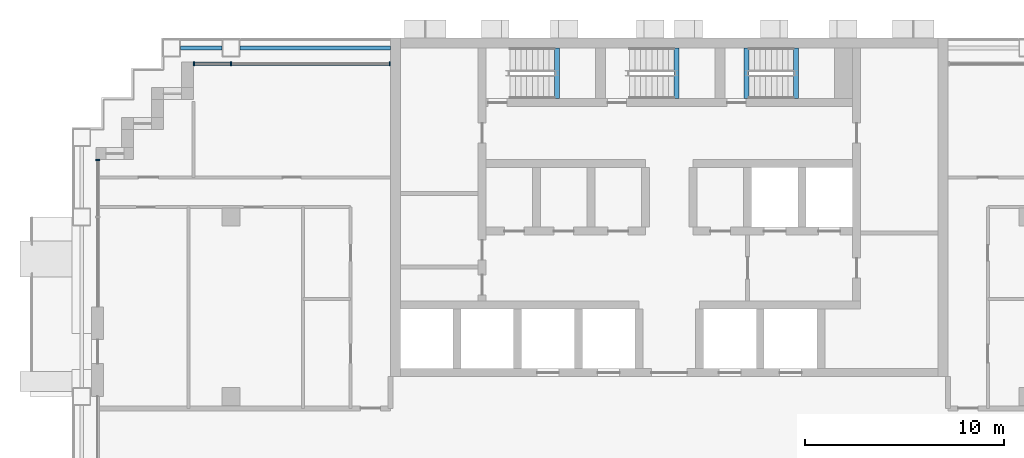
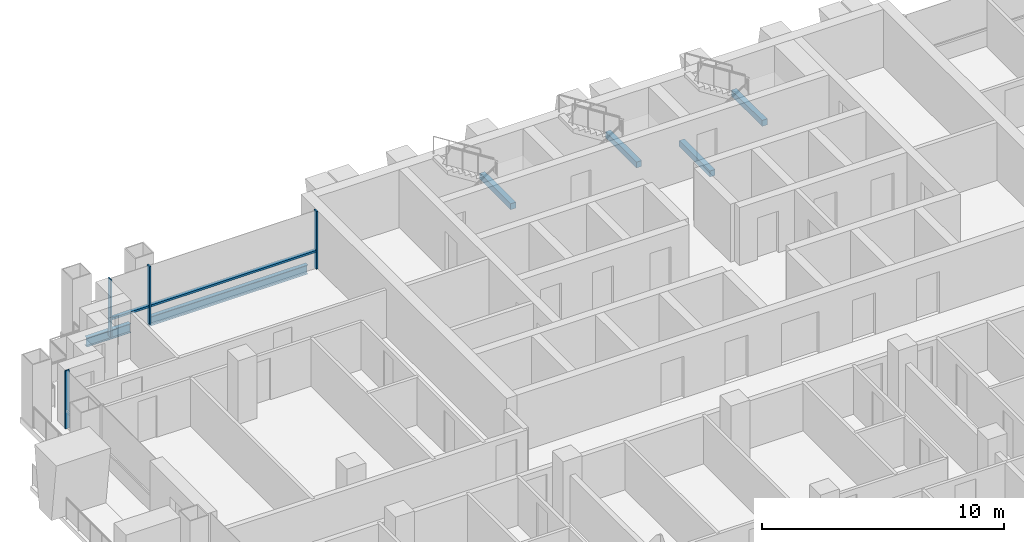
# One storey, part 4 of 18: 6 beams, 6 members, 2 elements without a shape of their own.
"""IFC4 building model written with IfcOpenShell, lengths in metres."""

from ifc_helpers import new_model, si_unit, direction, frame, origin, origin_2d, place, context, subcontext, project, spatial, rectangle, i_section, extrude, material, material_profile, profile_set, type_object, element, aggregate, save


model = new_model("IFC4")

# Units and contexts
model_context = context("Model", 3, precision=1e-05, world=origin(), true_north=direction((0.0, 1.0)))
body_context = subcontext(model_context, "Body", "Model", "MODEL_VIEW")
ifc_project = project(units=[si_unit("LENGTHUNIT", "METRE"), si_unit("AREAUNIT", "SQUARE_METRE"), si_unit("VOLUMEUNIT", "CUBIC_METRE"), si_unit("PLANEANGLEUNIT", "RADIAN"), si_unit("MASSUNIT", "GRAM", prefix="KILO")], contexts=[model_context])

# Site, building, storey
site_placement = place(None, origin())
site = spatial("IfcSite", under=ifc_project, at=site_placement, CompositionType="ELEMENT")
building_placement = place(site_placement, origin())
building = spatial("IfcBuilding", under=site, at=building_placement, Name="Vidyagriha Tower", CompositionType="ELEMENT")
storey_placement = place(building_placement, frame((0.0, 0.0, 90.300048828125)))
storey = spatial("IfcBuildingStorey", under=building, at=storey_placement, Name="L23", CompositionType="ELEMENT", Elevation=90.300048828125)

# Beams
ifc_material_1 = material(Name="Steel ASTM A992 Grade 50", Category="steel")
ifc_material_profile_1 = material_profile(ifc_material_1, i_section(OverallWidth=0.19189453125, OverallDepth=0.46240234375, WebThickness=0.010498046875, FlangeThickness=0.017578125, at=origin_2d()), Name="W18X60")
ifc_profile_set_1 = profile_set([ifc_material_profile_1], Name="Steel ASTM A992 Grade 50")
beam_type_1 = type_object("IfcBeamType", Name="Edge beam W18X60", PredefinedType="SPANDREL", material=ifc_profile_set_1)
beam_1_placement = place(storey_placement, frame((-24.550048828125, 19.5, -0.51123046875), z_axis=(1.0, 0.0, 0.0), x_axis=(0.0, 1.0, 0.0)))
element("IfcBeam", 1, at=beam_1_placement, inside=storey, type_object=beam_type_1, Name="st-beam-L23-NW20", PredefinedType="SPANDREL", context=body_context, shape_type="SweptSolid", body=[
    extrude(i_section(OverallWidth=0.19189453125, OverallDepth=0.46240234375, WebThickness=0.010498046875, FlangeThickness=0.017578125, at=origin_2d()), origin(), (0.0, 0.0, 1.0), 2.10009765625),
])
beam_2_placement = place(storey_placement, frame((-21.550048828125, 19.5, -0.51123046875), z_axis=(1.0, 0.0, 0.0), x_axis=(0.0, 1.0, 0.0)))
element("IfcBeam", 2, at=beam_2_placement, inside=storey, type_object=beam_type_1, Name="st-beam-L23-NC24", PredefinedType="SPANDREL", context=body_context, shape_type="SweptSolid", body=[
    extrude(i_section(OverallWidth=0.19189453125, OverallDepth=0.46240234375, WebThickness=0.010498046875, FlangeThickness=0.017578125, at=origin_2d()), origin(), (0.0, 0.0, 1.0), 7.550048828125),
])

# Curtain wall, members
ifc_material_2 = material(Name="Aluminium and glass curtain wall", Category="aluminium")
curtain_wall_type = type_object("IfcCurtainWallType", Name="Dwelling skin unitised curtain wall", PredefinedType="USERDEFINED", material=ifc_material_2)
curtain_wall_1_placement = place(storey_placement, origin())
curtain_wall_1 = element("IfcCurtainWall", 3, at=curtain_wall_1_placement, inside=storey, type_object=curtain_wall_type, Name="CW1 dwelling skin", ObjectType="UNITISED", PredefinedType="USERDEFINED")
ifc_material_3 = material(Name="Aluminium black anodised", Category="aluminium")
ifc_material_profile_2 = material_profile(ifc_material_3, rectangle(XDim=0.199951171875, YDim=0.070068359375, at=origin_2d()), Name="Mullion 70x200 black aluminium")
ifc_profile_set_2 = profile_set([ifc_material_profile_2], Name="Aluminium black anodised")
member_type_1 = type_object("IfcMemberType", Name="Mullion 70x200 black aluminium", PredefinedType="MULLION", material=ifc_profile_set_2)
member_1_placement = place(storey_placement, frame((-14.034912109375, 18.699951171875, 0.0), z_axis=(0.0, 0.0, 1.0), x_axis=(0.0, -1.0, 0.0)))
member_1 = element("IfcMember", 4, at=member_1_placement, type_object=member_type_1, Name="CW1 mullion 1", PredefinedType="MULLION", context=body_context, shape_type="SweptSolid", body=[
    extrude(rectangle(XDim=0.199951171875, YDim=0.070068359375, at=origin_2d()), origin(), (0.0, 0.0, 1.0), 2.919921875),
])
member_2_placement = place(storey_placement, frame((-22.0, 18.699951171875, 0.0), z_axis=(0.0, 0.0, 1.0), x_axis=(0.0, -1.0, 0.0)))
member_2 = element("IfcMember", 5, at=member_2_placement, type_object=member_type_1, Name="CW1 mullion 2", PredefinedType="MULLION", context=body_context, shape_type="SweptSolid", body=[
    extrude(rectangle(XDim=0.199951171875, YDim=0.070068359375, at=origin_2d()), origin(), (0.0, 0.0, 1.0), 2.919921875),
])
member_3_placement = place(storey_placement, frame((-23.864990234375, 18.699951171875, 0.0), z_axis=(0.0, 0.0, 1.0), x_axis=(0.0, -1.0, 0.0)))
member_3 = element("IfcMember", 6, at=member_3_placement, type_object=member_type_1, Name="CW1 mullion 3", PredefinedType="MULLION", context=body_context, shape_type="SweptSolid", body=[
    extrude(rectangle(XDim=0.199951171875, YDim=0.070068359375, at=origin_2d()), origin(), (0.0, 0.0, 1.0), 2.919921875),
])

# Curtain wall, member
curtain_wall_2_placement = place(storey_placement, origin())
curtain_wall_2 = element("IfcCurtainWall", 7, at=curtain_wall_2_placement, inside=storey, type_object=curtain_wall_type, Name="CW1 dwelling skin", ObjectType="UNITISED", PredefinedType="USERDEFINED")
member_4_placement = place(storey_placement, frame((-28.699951171875, 13.864990234375, 0.0)))
member_4 = element("IfcMember", 8, at=member_4_placement, type_object=member_type_1, Name="CW1 mullion 1", PredefinedType="MULLION", context=body_context, shape_type="SweptSolid", body=[
    extrude(rectangle(XDim=0.199951171875, YDim=0.070068359375, at=origin_2d()), origin(), (0.0, 0.0, 1.0), 2.919921875),
])
aggregate(curtain_wall_2, [member_4])

# Beams
ifc_material_4 = material(Name="Concrete C40/50", Category="concrete")
ifc_material_profile_3 = material_profile(ifc_material_4, rectangle(XDim=0.25, YDim=0.300048828125, at=origin_2d()), Name="Stair landing bearing beam 250x300")
ifc_profile_set_3 = profile_set([ifc_material_profile_3], Name="Concrete C40/50")
beam_type_2 = type_object("IfcBeamType", Name="Stair landing bearing beam 250x300", PredefinedType="BEAM", material=ifc_profile_set_3)
for number, where, z_axis, x_axis, name in (
    (9, (3.875, 16.949951171875, -0.429931640625), (0.0, 1.0, 0.0), (-1.0, 0.0, 0.0), "ST3 floor landing bearing beam L23"),
    (10, (-5.635009765625, 16.949951171875, 1.25), (0.0, 1.0, 0.0), (-1.0, 0.0, 0.0), "ST1 landing bearing beam L23"),
    (11, (0.364990234375, 16.949951171875, 1.25), (0.0, 1.0, 0.0), (-1.0, 0.0, 0.0), "ST2 landing bearing beam L23"),
    (12, (6.364990234375, 16.949951171875, 1.25), (0.0, 1.0, 0.0), (-1.0, 0.0, 0.0), "ST3 landing bearing beam L23"),
):
    element("IfcBeam", number, at=place(storey_placement, frame(where, z_axis=z_axis, x_axis=x_axis)), inside=storey, type_object=beam_type_2, Name=name, PredefinedType="BEAM", context=body_context, shape_type="SweptSolid", body=[
        extrude(rectangle(XDim=0.25, YDim=0.300048828125, at=origin_2d()), origin(), (0.0, 0.0, 1.0), 2.550048828125),
    ])

# Member
ifc_material_5 = material(Name="Aluminium black anodised", Category="aluminium")
ifc_material_profile_4 = material_profile(ifc_material_5, rectangle(XDim=0.159912109375, YDim=0.10009765625, at=origin_2d()), Name="Transom 100x160 black aluminium")
ifc_profile_set_4 = profile_set([ifc_material_profile_4], Name="Aluminium black anodised")
member_type_2 = type_object("IfcMemberType", Name="Transom 100x160 black aluminium", PredefinedType="USERDEFINED", material=ifc_profile_set_4)
member_5_placement = place(storey_placement, frame((-14.070068359375, 18.699951171875, 0.89990234375), z_axis=(-1.0, 0.0, 0.0), x_axis=(0.0, -1.0, 0.0)))
member_5 = element("IfcMember", 13, at=member_5_placement, type_object=member_type_2, Name="CW1 transom 1.1", ObjectType="TRANSOM", PredefinedType="USERDEFINED", context=body_context, shape_type="SweptSolid", body=[
    extrude(rectangle(XDim=0.159912109375, YDim=0.10009765625, at=origin_2d()), origin(), (0.0, 0.0, 1.0), 7.89501953125),
])

member_6_placement = place(storey_placement, frame((-22.034912109375, 18.699951171875, 0.89990234375), z_axis=(-1.0, 0.0, 0.0), x_axis=(0.0, -1.0, 0.0)))
member_6 = element("IfcMember", 14, at=member_6_placement, type_object=member_type_2, Name="CW1 transom 2.1", ObjectType="TRANSOM", PredefinedType="USERDEFINED", context=body_context, shape_type="SweptSolid", body=[
    extrude(rectangle(XDim=0.159912109375, YDim=0.10009765625, at=origin_2d()), origin(), (0.0, 0.0, 1.0), 1.795166015625),
])

aggregate(curtain_wall_1, [member_1, member_2, member_3, member_5, member_6])

save(model, "model.ifc")
